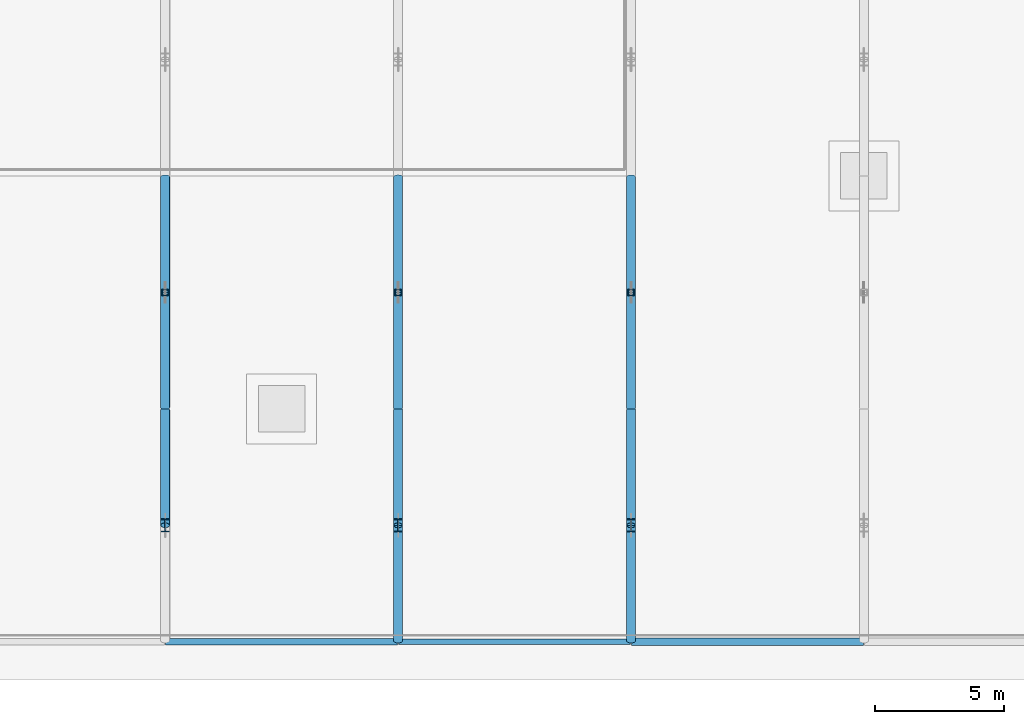
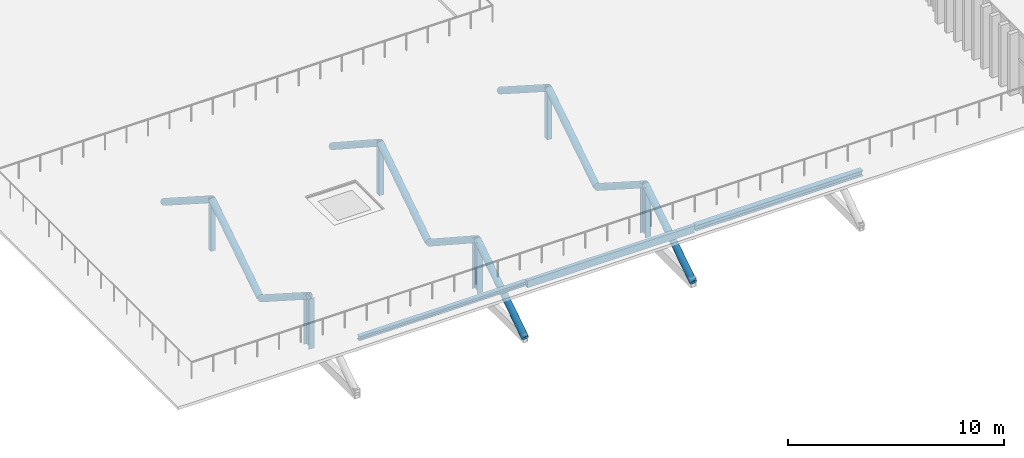
# One storey, part 100 of 196: 17 members, 3 beams.
"""IFC4 building model written with IfcOpenShell, lengths in metres."""

from ifc_helpers import new_model, si_unit, direction, frame, origin, origin_2d, place, context, subcontext, project, spatial, hollow_rectangle, hollow_circle, i_section, extrude, material, material_profile, profile_set, type_object, element, save


model = new_model("IFC4")

# Units and contexts
model_context = context("Model", 3, precision=1e-05, world=origin(), true_north=direction((0.0, 1.0)))
body_context = subcontext(model_context, "Body", "Model", "MODEL_VIEW")
ifc_project = project(units=[si_unit("LENGTHUNIT", "METRE"), si_unit("AREAUNIT", "SQUARE_METRE"), si_unit("VOLUMEUNIT", "CUBIC_METRE"), si_unit("PLANEANGLEUNIT", "RADIAN"), si_unit("MASSUNIT", "GRAM", prefix="KILO")], contexts=[model_context])

# Site, building, storey
site_placement = place(None, origin())
site = spatial("IfcSite", under=ifc_project, at=site_placement, CompositionType="ELEMENT")
building_placement = place(site_placement, origin())
building = spatial("IfcBuilding", under=site, at=building_placement, Name="Barlavento Convention Centre", CompositionType="ELEMENT")
storey_placement = place(building_placement, frame((0.0, 0.0, 18.0)))
storey = spatial("IfcBuildingStorey", under=building, at=storey_placement, Name="L03", CompositionType="ELEMENT", Elevation=18.0)

# Beams
ifc_material_1 = material(Name="Steel S355", Category="steel")
ifc_material_profile_1 = material_profile(ifc_material_1, i_section(OverallWidth=0.239990234375, OverallDepth=0.22998046875, WebThickness=0.007568359375, FlangeThickness=0.011962890625, FilletRadius=0.02099609375, at=origin_2d()), Name="HEA 240")
ifc_profile_set_1 = profile_set([ifc_material_profile_1], Name="Steel S355")
beam_type_1 = type_object("IfcBeamType", Name="STR-BM-SPN-HEA240", PredefinedType="SPANDREL", material=ifc_profile_set_1)
beam_1_placement = place(storey_placement, frame((135.02001953125, 0.0, -0.4599609375), z_axis=(1.0, 0.0, 0.0), x_axis=(0.0, 1.0, 0.0)))
element("IfcBeam", 1, at=beam_1_placement, inside=storey, type_object=beam_type_1, Name="L03 primary girder SP05", PredefinedType="SPANDREL", context=body_context, shape_type="SweptSolid", body=[
    extrude(i_section(OverallWidth=0.239990234375, OverallDepth=0.22998046875, WebThickness=0.007568359375, FlangeThickness=0.011962890625, FilletRadius=0.02099609375, at=origin_2d()), origin(), (0.0, 0.0, 1.0), 8.9599609375),
])
ifc_material_profile_2 = material_profile(ifc_material_1, i_section(OverallWidth=0.300048828125, OverallDepth=0.31005859375, WebThickness=0.009033203125, FlangeThickness=0.015380859375, FilletRadius=0.027099609375, at=origin_2d()), Name="HEA 320")
ifc_profile_set_2 = profile_set([ifc_material_profile_2], Name="Steel S355")
beam_type_2 = type_object("IfcBeamType", Name="STR-BM-SPN-HEA320", PredefinedType="SPANDREL", material=ifc_profile_set_2)
beam_2_placement = place(storey_placement, frame((153.02001953125, 0.0, -0.5), z_axis=(1.0, 0.0, 0.0), x_axis=(0.0, 1.0, 0.0)))
element("IfcBeam", 2, at=beam_2_placement, inside=storey, type_object=beam_type_2, Name="L03 primary girder SP01", PredefinedType="SPANDREL", context=body_context, shape_type="SweptSolid", body=[
    extrude(i_section(OverallWidth=0.300048828125, OverallDepth=0.31005859375, WebThickness=0.009033203125, FlangeThickness=0.015380859375, FilletRadius=0.027099609375, at=origin_2d()), origin(), (0.0, 0.0, 1.0), 8.9599609375),
])
ifc_material_profile_3 = material_profile(ifc_material_1, hollow_rectangle(XDim=0.199951171875, YDim=0.39990234375, WallThickness=0.01611328125, at=origin_2d()), Name="RHS 400x200x16.0")
ifc_profile_set_3 = profile_set([ifc_material_profile_3], Name="Steel S355")
beam_type_3 = type_object("IfcBeamType", Name="STR-BM-SPN-RHS400", PredefinedType="SPANDREL", material=ifc_profile_set_3)
beam_3_placement = place(storey_placement, frame((144.02001953125, 0.0, -0.544921875), z_axis=(1.0, 0.0, 0.0), x_axis=(0.0, 1.0, 0.0)))
element("IfcBeam", 3, at=beam_3_placement, inside=storey, type_object=beam_type_3, Name="L03 primary girder SP06", PredefinedType="SPANDREL", context=body_context, shape_type="SweptSolid", body=[
    extrude(hollow_rectangle(XDim=0.199951171875, YDim=0.39990234375, WallThickness=0.01611328125, at=origin_2d()), origin(), (0.0, 0.0, 1.0), 8.9599609375),
])

# Members
ifc_material_profile_4 = material_profile(ifc_material_1, hollow_circle(Radius=0.177734375, WallThickness=0.01611328125, at=origin_2d()), Name="CHS 355.6x16.0")
ifc_profile_set_4 = profile_set([ifc_material_profile_4], Name="Steel S355")
member_type_1 = type_object("IfcMemberType", Name="STR-MEM-CHD-CHS355", PredefinedType="CHORD", material=ifc_profile_set_4)
for number, where, z_axis, x_axis, name in (
    (4, (135.0, 4.5, -0.797119140625), (0.0, 0.841857615744, -0.53969968947), (-1.0, 0.0, 0.0), "Ballroom transfer truss diagonal TC01"),
    (5, (135.0, 9.050048828125, -3.64990234375), (0.0, 0.841857615744, 0.53969968947), (-1.0, 0.0, 0.0), "Ballroom transfer truss diagonal TC01"),
    (6, (135.0, 13.5, -0.797119140625), (0.0, 0.841857615744, -0.53969968947), (-1.0, 0.0, 0.0), "Ballroom transfer truss diagonal TC01"),
):
    element("IfcMember", number, at=place(storey_placement, frame(where, z_axis=z_axis, x_axis=x_axis)), inside=storey, type_object=member_type_1, Name=name, PredefinedType="CHORD", context=body_context, shape_type="SweptSolid", body=[
        extrude(hollow_circle(Radius=0.177734375, WallThickness=0.01611328125, at=origin_2d()), origin(), (0.0, 0.0, 1.0), 5.285888671875),
    ])
for number, where, z_axis, x_axis, name in (
    (7, (144.0, 0.050048828125, -3.64990234375), (0.0, 0.837635280433, 0.5462299305), (-1.0, 0.0, 0.0), "Ballroom transfer truss diagonal TC01"),
    (8, (144.0, 4.5, -0.748046875), (0.0, 0.837635280433, -0.5462299305), (-1.0, 0.0, 0.0), "Ballroom transfer truss diagonal TC01"),
    (9, (144.0, 9.050048828125, -3.64990234375), (0.0, 0.837635280433, 0.5462299305), (-1.0, 0.0, 0.0), "Ballroom transfer truss diagonal TC01"),
    (10, (144.0, 13.5, -0.748046875), (0.0, 0.837635280433, -0.5462299305), (-1.0, 0.0, 0.0), "Ballroom transfer truss diagonal TC01"),
):
    element("IfcMember", number, at=place(storey_placement, frame(where, z_axis=z_axis, x_axis=x_axis)), inside=storey, type_object=member_type_1, Name=name, PredefinedType="CHORD", context=body_context, shape_type="SweptSolid", body=[
        extrude(hollow_circle(Radius=0.177734375, WallThickness=0.01611328125, at=origin_2d()), origin(), (0.0, 0.0, 1.0), 5.3125),
    ])
for number, where, z_axis, x_axis, name in (
    (11, (153.0, 0.050048828125, -3.64990234375), (0.0, 0.841857615744, 0.53969968947), (-1.0, 0.0, 0.0), "Ballroom transfer truss diagonal TC01"),
    (12, (153.0, 4.5, -0.797119140625), (0.0, 0.841857615744, -0.53969968947), (-1.0, 0.0, 0.0), "Ballroom transfer truss diagonal TC01"),
    (13, (153.0, 9.050048828125, -3.64990234375), (0.0, 0.841857615744, 0.53969968947), (-1.0, 0.0, 0.0), "Ballroom transfer truss diagonal TC01"),
    (14, (153.0, 13.5, -0.797119140625), (0.0, 0.841857615744, -0.53969968947), (-1.0, 0.0, 0.0), "Ballroom transfer truss diagonal TC01"),
):
    element("IfcMember", number, at=place(storey_placement, frame(where, z_axis=z_axis, x_axis=x_axis)), inside=storey, type_object=member_type_1, Name=name, PredefinedType="CHORD", context=body_context, shape_type="SweptSolid", body=[
        extrude(hollow_circle(Radius=0.177734375, WallThickness=0.01611328125, at=origin_2d()), origin(), (0.0, 0.0, 1.0), 5.285888671875),
    ])
ifc_material_2 = material(Name="Steel S460", Category="steel")
ifc_material_profile_5 = material_profile(ifc_material_2, i_section(OverallWidth=0.300048828125, OverallDepth=0.5, WebThickness=0.014404296875, FlangeThickness=0.028076171875, FilletRadius=0.027099609375, at=origin_2d()), Name="HEB 500")
ifc_profile_set_5 = profile_set([ifc_material_profile_5], Name="Steel S460")
member_type_2 = type_object("IfcMemberType", Name="STR-MEM-STRUT-HEB500", PredefinedType="STRUT", material=ifc_profile_set_5)
member_1_placement = place(storey_placement, frame((135.0, 4.5, -3.64990234375), z_axis=(0.0, 0.0, 1.0), x_axis=(1.0, 0.0, 0.0)))
element("IfcMember", 15, at=member_1_placement, inside=storey, type_object=member_type_2, Name="Ballroom transfer truss vertical post", PredefinedType="STRUT", context=body_context, shape_type="SweptSolid", body=[
    extrude(i_section(OverallWidth=0.300048828125, OverallDepth=0.5, WebThickness=0.014404296875, FlangeThickness=0.028076171875, FilletRadius=0.027099609375, at=origin_2d()), origin(), (0.0, 0.0, 1.0), 2.852783203125),
])
member_2_placement = place(storey_placement, frame((144.0, 4.5, -3.64990234375), z_axis=(0.0, 0.0, 1.0), x_axis=(1.0, 0.0, 0.0)))
element("IfcMember", 16, at=member_2_placement, inside=storey, type_object=member_type_2, Name="Ballroom transfer truss vertical post", PredefinedType="STRUT", context=body_context, shape_type="SweptSolid", body=[
    extrude(i_section(OverallWidth=0.300048828125, OverallDepth=0.5, WebThickness=0.014404296875, FlangeThickness=0.028076171875, FilletRadius=0.027099609375, at=origin_2d()), origin(), (0.0, 0.0, 1.0), 2.90185546875),
])
member_3_placement = place(storey_placement, frame((153.0, 4.5, -3.64990234375), z_axis=(0.0, 0.0, 1.0), x_axis=(1.0, 0.0, 0.0)))
element("IfcMember", 17, at=member_3_placement, inside=storey, type_object=member_type_2, Name="Ballroom transfer truss vertical post", PredefinedType="STRUT", context=body_context, shape_type="SweptSolid", body=[
    extrude(i_section(OverallWidth=0.300048828125, OverallDepth=0.5, WebThickness=0.014404296875, FlangeThickness=0.028076171875, FilletRadius=0.027099609375, at=origin_2d()), origin(), (0.0, 0.0, 1.0), 2.852783203125),
])
ifc_material_profile_6 = material_profile(ifc_material_1, hollow_rectangle(XDim=0.25, YDim=0.25, WallThickness=0.012451171875, at=origin_2d()), Name="SHS 250x250x12.5")
ifc_profile_set_6 = profile_set([ifc_material_profile_6], Name="Steel S355")
member_type_3 = type_object("IfcMemberType", Name="STR-MEM-STRUT-SHS250", PredefinedType="STRUT", material=ifc_profile_set_6)
member_4_placement = place(storey_placement, frame((135.0, 13.5, -3.64990234375), z_axis=(0.0, 0.0, 1.0), x_axis=(1.0, 0.0, 0.0)))
element("IfcMember", 18, at=member_4_placement, inside=storey, type_object=member_type_3, Name="Ballroom transfer truss vertical post", PredefinedType="STRUT", context=body_context, shape_type="SweptSolid", body=[
    extrude(hollow_rectangle(XDim=0.25, YDim=0.25, WallThickness=0.012451171875, at=origin_2d()), origin(), (0.0, 0.0, 1.0), 2.852783203125),
])
member_5_placement = place(storey_placement, frame((144.0, 13.5, -3.64990234375), z_axis=(0.0, 0.0, 1.0), x_axis=(1.0, 0.0, 0.0)))
element("IfcMember", 19, at=member_5_placement, inside=storey, type_object=member_type_3, Name="Ballroom transfer truss vertical post", PredefinedType="STRUT", context=body_context, shape_type="SweptSolid", body=[
    extrude(hollow_rectangle(XDim=0.25, YDim=0.25, WallThickness=0.012451171875, at=origin_2d()), origin(), (0.0, 0.0, 1.0), 2.90185546875),
])
member_6_placement = place(storey_placement, frame((153.0, 13.5, -3.64990234375), z_axis=(0.0, 0.0, 1.0), x_axis=(1.0, 0.0, 0.0)))
element("IfcMember", 20, at=member_6_placement, inside=storey, type_object=member_type_3, Name="Ballroom transfer truss vertical post", PredefinedType="STRUT", context=body_context, shape_type="SweptSolid", body=[
    extrude(hollow_rectangle(XDim=0.25, YDim=0.25, WallThickness=0.012451171875, at=origin_2d()), origin(), (0.0, 0.0, 1.0), 2.852783203125),
])

save(model, "model.ifc")
